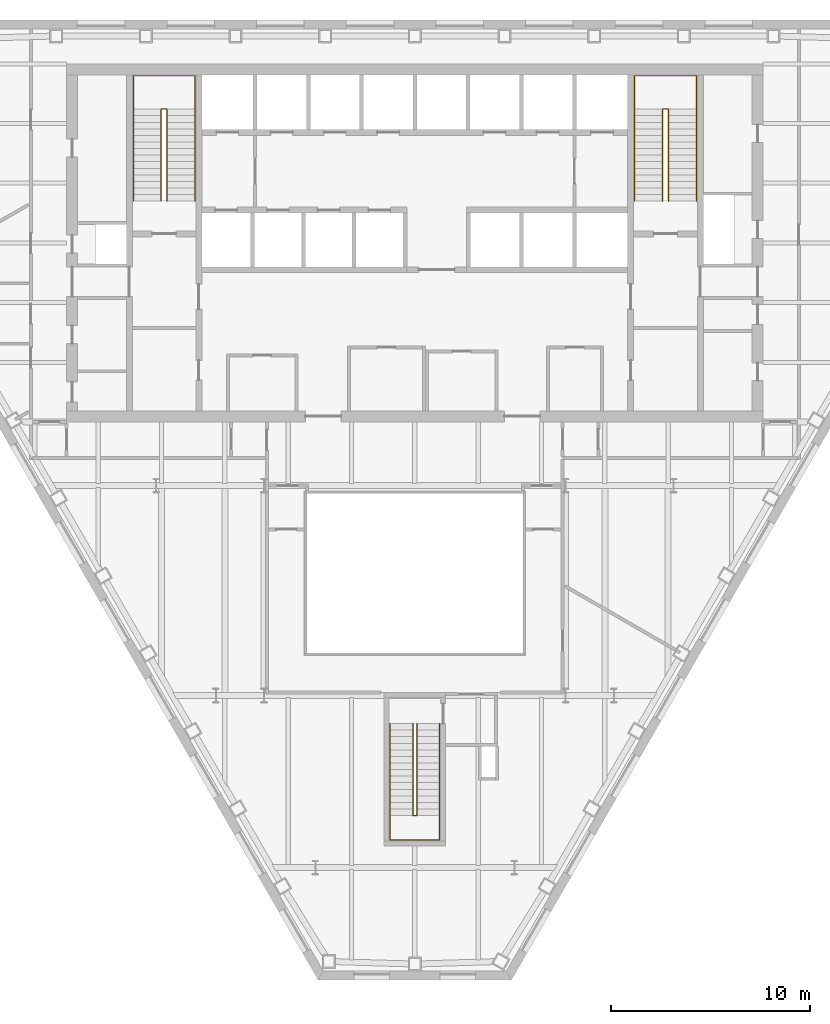
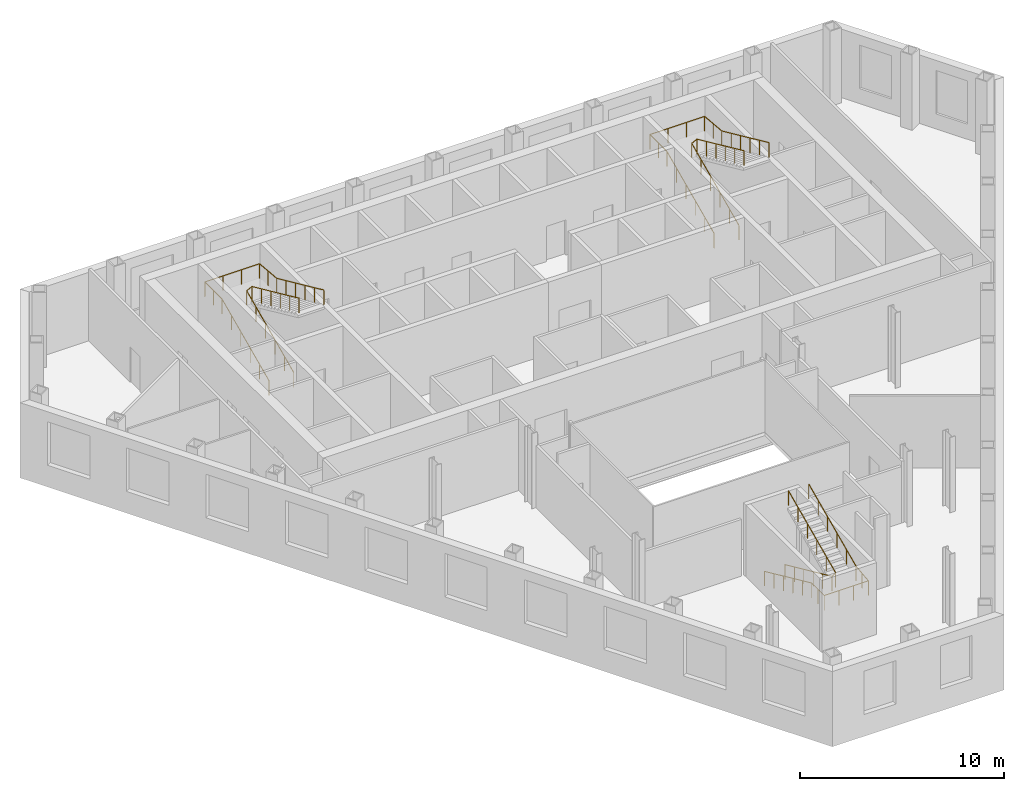
# One storey, part 11 of 11: 6 railings.
"""IFC4 building model written with IfcOpenShell, lengths in metres."""

from ifc_helpers import new_model, si_unit, direction, frame, origin, origin_2d, place, context, subcontext, project, spatial, circle, extrude, material, type_object, element, save


model = new_model("IFC4")

# Units and contexts
model_context = context("Model", 3, precision=1e-05, world=origin(), true_north=direction((0.0, 1.0)))
body_context = subcontext(model_context, "Body", "Model", "MODEL_VIEW")
ifc_project = project(units=[si_unit("LENGTHUNIT", "METRE"), si_unit("AREAUNIT", "SQUARE_METRE"), si_unit("VOLUMEUNIT", "CUBIC_METRE"), si_unit("PLANEANGLEUNIT", "RADIAN"), si_unit("MASSUNIT", "GRAM", prefix="KILO")], contexts=[model_context])

# Site, building, storey
site_placement = place(None, origin())
site = spatial("IfcSite", under=ifc_project, at=site_placement, CompositionType="ELEMENT")
building_placement = place(site_placement, origin())
building = spatial("IfcBuilding", under=site, at=building_placement, Name="Njiva Tower", CompositionType="ELEMENT")
storey_placement = place(building_placement, frame((0.0, 0.0, 115.8)))
storey = spatial("IfcBuildingStorey", under=building, at=storey_placement, Name="L24", CompositionType="ELEMENT", Elevation=115.8)

# Railings
ifc_material = material(Name="Stainless steel", Category="steel")
railing_type = type_object("IfcRailingType", Name="RL1 Stair handrail 900", PredefinedType="HANDRAIL", material=ifc_material)
railing_1_placement = place(storey_placement, frame((-14.15, 11.1, 0.15)))
element("IfcRailing", 1, at=railing_1_placement, inside=storey, type_object=railing_type, Name="Stair A handrail", PredefinedType="HANDRAIL", context=body_context, shape_type="SweptSolid", body=[
    extrude(circle(Radius=0.024, at=origin_2d()), frame((0.0, 0.0, 0.876), z_axis=(0.0, 0.910366477463, 0.413802944301), x_axis=(-1.0, 0.0, 0.0)), (0.0, 0.0, 1.0), 5.0749),
    extrude(circle(Radius=0.024, at=origin_2d()), frame((0.0, 4.62, 2.976), z_axis=(0.0, 1.0, 0.0), x_axis=(-1.0, 0.0, 0.0)), (0.0, 0.0, 1.0), 1.68),
    extrude(circle(Radius=0.024, at=origin_2d()), frame((0.0, 6.3, 2.976), z_axis=(1.0, 0.0, 0.0), x_axis=(0.0, 1.0, 0.0)), (0.0, 0.0, 1.0), 3.1),
    extrude(circle(Radius=0.024, at=origin_2d()), frame((3.1, 6.3, 2.976), z_axis=(0.0, -0.996037705314, 0.088931937975), x_axis=(1.0, 0.0, 0.0)), (0.0, 0.0, 1.0), 1.6867),
    extrude(circle(Radius=0.024, at=origin_2d()), frame((3.1, 4.62, 3.126), z_axis=(0.0, -0.910366477463, 0.413802944301), x_axis=(1.0, 0.0, 0.0)), (0.0, 0.0, 1.0), 5.0749),
    extrude(circle(Radius=0.021, at=origin_2d()), origin(), (0.0, 0.0, 1.0), 0.852),
    extrude(circle(Radius=0.021, at=origin_2d()), frame((0.0, 0.924, 0.42)), (0.0, 0.0, 1.0), 0.852),
    extrude(circle(Radius=0.021, at=origin_2d()), frame((0.0, 1.848, 0.84)), (0.0, 0.0, 1.0), 0.852),
    extrude(circle(Radius=0.021, at=origin_2d()), frame((0.0, 2.772, 1.26)), (0.0, 0.0, 1.0), 0.852),
    extrude(circle(Radius=0.021, at=origin_2d()), frame((0.0, 3.696, 1.68)), (0.0, 0.0, 1.0), 0.852),
    extrude(circle(Radius=0.021, at=origin_2d()), frame((0.0, 4.62, 2.1)), (0.0, 0.0, 1.0), 0.852),
    extrude(circle(Radius=0.021, at=origin_2d()), frame((0.0, 5.46, 2.1)), (0.0, 0.0, 1.0), 0.852),
    extrude(circle(Radius=0.021, at=origin_2d()), frame((0.0, 6.3, 2.1)), (0.0, 0.0, 1.0), 0.852),
    extrude(circle(Radius=0.021, at=origin_2d()), frame((1.0333, 6.3, 2.1)), (0.0, 0.0, 1.0), 0.852),
    extrude(circle(Radius=0.021, at=origin_2d()), frame((2.0667, 6.3, 2.1)), (0.0, 0.0, 1.0), 0.852),
    extrude(circle(Radius=0.021, at=origin_2d()), frame((3.1, 6.3, 2.1)), (0.0, 0.0, 1.0), 0.852),
    extrude(circle(Radius=0.021, at=origin_2d()), frame((3.1, 5.46, 2.175)), (0.0, 0.0, 1.0), 0.852),
    extrude(circle(Radius=0.021, at=origin_2d()), frame((3.1, 4.62, 2.25)), (0.0, 0.0, 1.0), 0.852),
    extrude(circle(Radius=0.021, at=origin_2d()), frame((3.1, 3.696, 2.67)), (0.0, 0.0, 1.0), 0.852),
    extrude(circle(Radius=0.021, at=origin_2d()), frame((3.1, 2.772, 3.09)), (0.0, 0.0, 1.0), 0.852),
    extrude(circle(Radius=0.021, at=origin_2d()), frame((3.1, 1.848, 3.51)), (0.0, 0.0, 1.0), 0.852),
    extrude(circle(Radius=0.021, at=origin_2d()), frame((3.1, 0.924, 3.93)), (0.0, 0.0, 1.0), 0.852),
    extrude(circle(Radius=0.021, at=origin_2d()), frame((3.1, 0.0, 4.35)), (0.0, 0.0, 1.0), 0.852),
])
railing_2_placement = place(storey_placement, frame((-12.75, 11.1, 0.15)))
element("IfcRailing", 2, at=railing_2_placement, inside=storey, type_object=railing_type, Name="Stair A handrail", PredefinedType="HANDRAIL", context=body_context, shape_type="SweptSolid", body=[
    extrude(circle(Radius=0.024, at=origin_2d()), frame((0.0, 0.0, 0.876), z_axis=(0.0, 0.910366477463, 0.413802944301), x_axis=(-1.0, 0.0, 0.0)), (0.0, 0.0, 1.0), 5.0749),
    extrude(circle(Radius=0.024, at=origin_2d()), frame((0.0, 4.62, 2.976), z_axis=(0.894427191, 0.0, 0.4472135955), x_axis=(0.0, 1.0, 0.0)), (0.0, 0.0, 1.0), 0.3354),
    extrude(circle(Radius=0.024, at=origin_2d()), frame((0.3, 4.62, 3.126), z_axis=(0.0, -0.910366477463, 0.413802944301), x_axis=(1.0, 0.0, 0.0)), (0.0, 0.0, 1.0), 5.0749),
    extrude(circle(Radius=0.021, at=origin_2d()), origin(), (0.0, 0.0, 1.0), 0.852),
    extrude(circle(Radius=0.021, at=origin_2d()), frame((0.0, 0.924, 0.42)), (0.0, 0.0, 1.0), 0.852),
    extrude(circle(Radius=0.021, at=origin_2d()), frame((0.0, 1.848, 0.84)), (0.0, 0.0, 1.0), 0.852),
    extrude(circle(Radius=0.021, at=origin_2d()), frame((0.0, 2.772, 1.26)), (0.0, 0.0, 1.0), 0.852),
    extrude(circle(Radius=0.021, at=origin_2d()), frame((0.0, 3.696, 1.68)), (0.0, 0.0, 1.0), 0.852),
    extrude(circle(Radius=0.021, at=origin_2d()), frame((0.0, 4.62, 2.1)), (0.0, 0.0, 1.0), 0.852),
    extrude(circle(Radius=0.021, at=origin_2d()), frame((0.3, 4.62, 2.25)), (0.0, 0.0, 1.0), 0.852),
    extrude(circle(Radius=0.021, at=origin_2d()), frame((0.3, 3.696, 2.67)), (0.0, 0.0, 1.0), 0.852),
    extrude(circle(Radius=0.021, at=origin_2d()), frame((0.3, 2.772, 3.09)), (0.0, 0.0, 1.0), 0.852),
    extrude(circle(Radius=0.021, at=origin_2d()), frame((0.3, 1.848, 3.51)), (0.0, 0.0, 1.0), 0.852),
    extrude(circle(Radius=0.021, at=origin_2d()), frame((0.3, 0.924, 3.93)), (0.0, 0.0, 1.0), 0.852),
    extrude(circle(Radius=0.021, at=origin_2d()), frame((0.3, 0.0, 4.35)), (0.0, 0.0, 1.0), 0.852),
])
railing_3_placement = place(storey_placement, frame((11.05, 11.1, 0.15)))
element("IfcRailing", 3, at=railing_3_placement, inside=storey, type_object=railing_type, Name="Stair B handrail", PredefinedType="HANDRAIL", context=body_context, shape_type="SweptSolid", body=[
    extrude(circle(Radius=0.024, at=origin_2d()), frame((0.0, 0.0, 0.876), z_axis=(0.0, 0.910366477463, 0.413802944301), x_axis=(-1.0, 0.0, 0.0)), (0.0, 0.0, 1.0), 5.0749),
    extrude(circle(Radius=0.024, at=origin_2d()), frame((0.0, 4.62, 2.976), z_axis=(0.0, 1.0, 0.0), x_axis=(-1.0, 0.0, 0.0)), (0.0, 0.0, 1.0), 1.68),
    extrude(circle(Radius=0.024, at=origin_2d()), frame((0.0, 6.3, 2.976), z_axis=(1.0, 0.0, 0.0), x_axis=(0.0, 1.0, 0.0)), (0.0, 0.0, 1.0), 3.1),
    extrude(circle(Radius=0.024, at=origin_2d()), frame((3.1, 6.3, 2.976), z_axis=(0.0, -0.996037705314, 0.088931937975), x_axis=(1.0, 0.0, 0.0)), (0.0, 0.0, 1.0), 1.6867),
    extrude(circle(Radius=0.024, at=origin_2d()), frame((3.1, 4.62, 3.126), z_axis=(0.0, -0.910366477463, 0.413802944301), x_axis=(1.0, 0.0, 0.0)), (0.0, 0.0, 1.0), 5.0749),
    extrude(circle(Radius=0.021, at=origin_2d()), origin(), (0.0, 0.0, 1.0), 0.852),
    extrude(circle(Radius=0.021, at=origin_2d()), frame((0.0, 0.924, 0.42)), (0.0, 0.0, 1.0), 0.852),
    extrude(circle(Radius=0.021, at=origin_2d()), frame((0.0, 1.848, 0.84)), (0.0, 0.0, 1.0), 0.852),
    extrude(circle(Radius=0.021, at=origin_2d()), frame((0.0, 2.772, 1.26)), (0.0, 0.0, 1.0), 0.852),
    extrude(circle(Radius=0.021, at=origin_2d()), frame((0.0, 3.696, 1.68)), (0.0, 0.0, 1.0), 0.852),
    extrude(circle(Radius=0.021, at=origin_2d()), frame((0.0, 4.62, 2.1)), (0.0, 0.0, 1.0), 0.852),
    extrude(circle(Radius=0.021, at=origin_2d()), frame((0.0, 5.46, 2.1)), (0.0, 0.0, 1.0), 0.852),
    extrude(circle(Radius=0.021, at=origin_2d()), frame((0.0, 6.3, 2.1)), (0.0, 0.0, 1.0), 0.852),
    extrude(circle(Radius=0.021, at=origin_2d()), frame((1.0333, 6.3, 2.1)), (0.0, 0.0, 1.0), 0.852),
    extrude(circle(Radius=0.021, at=origin_2d()), frame((2.0667, 6.3, 2.1)), (0.0, 0.0, 1.0), 0.852),
    extrude(circle(Radius=0.021, at=origin_2d()), frame((3.1, 6.3, 2.1)), (0.0, 0.0, 1.0), 0.852),
    extrude(circle(Radius=0.021, at=origin_2d()), frame((3.1, 5.46, 2.175)), (0.0, 0.0, 1.0), 0.852),
    extrude(circle(Radius=0.021, at=origin_2d()), frame((3.1, 4.62, 2.25)), (0.0, 0.0, 1.0), 0.852),
    extrude(circle(Radius=0.021, at=origin_2d()), frame((3.1, 3.696, 2.67)), (0.0, 0.0, 1.0), 0.852),
    extrude(circle(Radius=0.021, at=origin_2d()), frame((3.1, 2.772, 3.09)), (0.0, 0.0, 1.0), 0.852),
    extrude(circle(Radius=0.021, at=origin_2d()), frame((3.1, 1.848, 3.51)), (0.0, 0.0, 1.0), 0.852),
    extrude(circle(Radius=0.021, at=origin_2d()), frame((3.1, 0.924, 3.93)), (0.0, 0.0, 1.0), 0.852),
    extrude(circle(Radius=0.021, at=origin_2d()), frame((3.1, 0.0, 4.35)), (0.0, 0.0, 1.0), 0.852),
])
railing_4_placement = place(storey_placement, frame((12.45, 11.1, 0.15)))
element("IfcRailing", 4, at=railing_4_placement, inside=storey, type_object=railing_type, Name="Stair B handrail", PredefinedType="HANDRAIL", context=body_context, shape_type="SweptSolid", body=[
    extrude(circle(Radius=0.024, at=origin_2d()), frame((0.0, 0.0, 0.876), z_axis=(0.0, 0.910366477463, 0.413802944301), x_axis=(-1.0, 0.0, 0.0)), (0.0, 0.0, 1.0), 5.0749),
    extrude(circle(Radius=0.024, at=origin_2d()), frame((0.0, 4.62, 2.976), z_axis=(0.894427191, 0.0, 0.4472135955), x_axis=(0.0, 1.0, 0.0)), (0.0, 0.0, 1.0), 0.3354),
    extrude(circle(Radius=0.024, at=origin_2d()), frame((0.3, 4.62, 3.126), z_axis=(0.0, -0.910366477463, 0.413802944301), x_axis=(1.0, 0.0, 0.0)), (0.0, 0.0, 1.0), 5.0749),
    extrude(circle(Radius=0.021, at=origin_2d()), origin(), (0.0, 0.0, 1.0), 0.852),
    extrude(circle(Radius=0.021, at=origin_2d()), frame((0.0, 0.924, 0.42)), (0.0, 0.0, 1.0), 0.852),
    extrude(circle(Radius=0.021, at=origin_2d()), frame((0.0, 1.848, 0.84)), (0.0, 0.0, 1.0), 0.852),
    extrude(circle(Radius=0.021, at=origin_2d()), frame((0.0, 2.772, 1.26)), (0.0, 0.0, 1.0), 0.852),
    extrude(circle(Radius=0.021, at=origin_2d()), frame((0.0, 3.696, 1.68)), (0.0, 0.0, 1.0), 0.852),
    extrude(circle(Radius=0.021, at=origin_2d()), frame((0.0, 4.62, 2.1)), (0.0, 0.0, 1.0), 0.852),
    extrude(circle(Radius=0.021, at=origin_2d()), frame((0.3, 4.62, 2.25)), (0.0, 0.0, 1.0), 0.852),
    extrude(circle(Radius=0.021, at=origin_2d()), frame((0.3, 3.696, 2.67)), (0.0, 0.0, 1.0), 0.852),
    extrude(circle(Radius=0.021, at=origin_2d()), frame((0.3, 2.772, 3.09)), (0.0, 0.0, 1.0), 0.852),
    extrude(circle(Radius=0.021, at=origin_2d()), frame((0.3, 1.848, 3.51)), (0.0, 0.0, 1.0), 0.852),
    extrude(circle(Radius=0.021, at=origin_2d()), frame((0.3, 0.924, 3.93)), (0.0, 0.0, 1.0), 0.852),
    extrude(circle(Radius=0.021, at=origin_2d()), frame((0.3, 0.0, 4.35)), (0.0, 0.0, 1.0), 0.852),
])
railing_5_placement = place(storey_placement, frame((-1.25, -15.16, 0.15)))
element("IfcRailing", 5, at=railing_5_placement, inside=storey, type_object=railing_type, Name="Stair C handrail", PredefinedType="HANDRAIL", context=body_context, shape_type="SweptSolid", body=[
    extrude(circle(Radius=0.024, at=origin_2d()), frame((0.0, 0.0, 0.876), z_axis=(0.0, -0.910366477463, 0.413802944301), x_axis=(1.0, 0.0, 0.0)), (0.0, 0.0, 1.0), 5.0749),
    extrude(circle(Radius=0.024, at=origin_2d()), frame((0.0, -4.62, 2.976), z_axis=(0.0, -1.0, 0.0), x_axis=(1.0, 0.0, 0.0)), (0.0, 0.0, 1.0), 1.22),
    extrude(circle(Radius=0.024, at=origin_2d()), frame((0.0, -5.84, 2.976), z_axis=(1.0, 0.0, 0.0), x_axis=(0.0, 1.0, 0.0)), (0.0, 0.0, 1.0), 2.5),
    extrude(circle(Radius=0.024, at=origin_2d()), frame((2.5, -5.84, 2.976), z_axis=(0.0, 0.992526177815, 0.122031907108), x_axis=(-1.0, 0.0, 0.0)), (0.0, 0.0, 1.0), 1.2292),
    extrude(circle(Radius=0.024, at=origin_2d()), frame((2.5, -4.62, 3.126), z_axis=(0.0, 0.910366477463, 0.413802944301), x_axis=(-1.0, 0.0, 0.0)), (0.0, 0.0, 1.0), 5.0749),
    extrude(circle(Radius=0.021, at=origin_2d()), origin(), (0.0, 0.0, 1.0), 0.852),
    extrude(circle(Radius=0.021, at=origin_2d()), frame((0.0, -0.924, 0.42)), (0.0, 0.0, 1.0), 0.852),
    extrude(circle(Radius=0.021, at=origin_2d()), frame((0.0, -1.848, 0.84)), (0.0, 0.0, 1.0), 0.852),
    extrude(circle(Radius=0.021, at=origin_2d()), frame((0.0, -2.772, 1.26)), (0.0, 0.0, 1.0), 0.852),
    extrude(circle(Radius=0.021, at=origin_2d()), frame((0.0, -3.696, 1.68)), (0.0, 0.0, 1.0), 0.852),
    extrude(circle(Radius=0.021, at=origin_2d()), frame((0.0, -4.62, 2.1)), (0.0, 0.0, 1.0), 0.852),
    extrude(circle(Radius=0.021, at=origin_2d()), frame((0.0, -5.23, 2.1)), (0.0, 0.0, 1.0), 0.852),
    extrude(circle(Radius=0.021, at=origin_2d()), frame((0.0, -5.84, 2.1)), (0.0, 0.0, 1.0), 0.852),
    extrude(circle(Radius=0.021, at=origin_2d()), frame((0.8333, -5.84, 2.1)), (0.0, 0.0, 1.0), 0.852),
    extrude(circle(Radius=0.021, at=origin_2d()), frame((1.6667, -5.84, 2.1)), (0.0, 0.0, 1.0), 0.852),
    extrude(circle(Radius=0.021, at=origin_2d()), frame((2.5, -5.84, 2.1)), (0.0, 0.0, 1.0), 0.852),
    extrude(circle(Radius=0.021, at=origin_2d()), frame((2.5, -5.23, 2.175)), (0.0, 0.0, 1.0), 0.852),
    extrude(circle(Radius=0.021, at=origin_2d()), frame((2.5, -4.62, 2.25)), (0.0, 0.0, 1.0), 0.852),
    extrude(circle(Radius=0.021, at=origin_2d()), frame((2.5, -3.696, 2.67)), (0.0, 0.0, 1.0), 0.852),
    extrude(circle(Radius=0.021, at=origin_2d()), frame((2.5, -2.772, 3.09)), (0.0, 0.0, 1.0), 0.852),
    extrude(circle(Radius=0.021, at=origin_2d()), frame((2.5, -1.848, 3.51)), (0.0, 0.0, 1.0), 0.852),
    extrude(circle(Radius=0.021, at=origin_2d()), frame((2.5, -0.924, 3.93)), (0.0, 0.0, 1.0), 0.852),
    extrude(circle(Radius=0.021, at=origin_2d()), frame((2.5, 0.0, 4.35)), (0.0, 0.0, 1.0), 0.852),
])
railing_6_placement = place(storey_placement, frame((-0.1, -15.16, 0.15)))
element("IfcRailing", 6, at=railing_6_placement, inside=storey, type_object=railing_type, Name="Stair C handrail", PredefinedType="HANDRAIL", context=body_context, shape_type="SweptSolid", body=[
    extrude(circle(Radius=0.024, at=origin_2d()), frame((0.0, 0.0, 0.876), z_axis=(0.0, -0.910366477463, 0.413802944301), x_axis=(1.0, 0.0, 0.0)), (0.0, 0.0, 1.0), 5.0749),
    extrude(circle(Radius=0.024, at=origin_2d()), frame((0.0, -4.62, 2.976), z_axis=(0.8, 0.0, 0.6), x_axis=(0.0, 1.0, 0.0)), (0.0, 0.0, 1.0), 0.25),
    extrude(circle(Radius=0.024, at=origin_2d()), frame((0.2, -4.62, 3.126), z_axis=(0.0, 0.910366477463, 0.413802944301), x_axis=(-1.0, 0.0, 0.0)), (0.0, 0.0, 1.0), 5.0749),
    extrude(circle(Radius=0.021, at=origin_2d()), origin(), (0.0, 0.0, 1.0), 0.852),
    extrude(circle(Radius=0.021, at=origin_2d()), frame((0.0, -0.924, 0.42)), (0.0, 0.0, 1.0), 0.852),
    extrude(circle(Radius=0.021, at=origin_2d()), frame((0.0, -1.848, 0.84)), (0.0, 0.0, 1.0), 0.852),
    extrude(circle(Radius=0.021, at=origin_2d()), frame((0.0, -2.772, 1.26)), (0.0, 0.0, 1.0), 0.852),
    extrude(circle(Radius=0.021, at=origin_2d()), frame((0.0, -3.696, 1.68)), (0.0, 0.0, 1.0), 0.852),
    extrude(circle(Radius=0.021, at=origin_2d()), frame((0.0, -4.62, 2.1)), (0.0, 0.0, 1.0), 0.852),
    extrude(circle(Radius=0.021, at=origin_2d()), frame((0.2, -4.62, 2.25)), (0.0, 0.0, 1.0), 0.852),
    extrude(circle(Radius=0.021, at=origin_2d()), frame((0.2, -3.696, 2.67)), (0.0, 0.0, 1.0), 0.852),
    extrude(circle(Radius=0.021, at=origin_2d()), frame((0.2, -2.772, 3.09)), (0.0, 0.0, 1.0), 0.852),
    extrude(circle(Radius=0.021, at=origin_2d()), frame((0.2, -1.848, 3.51)), (0.0, 0.0, 1.0), 0.852),
    extrude(circle(Radius=0.021, at=origin_2d()), frame((0.2, -0.924, 3.93)), (0.0, 0.0, 1.0), 0.852),
    extrude(circle(Radius=0.021, at=origin_2d()), frame((0.2, 0.0, 4.35)), (0.0, 0.0, 1.0), 0.852),
])

save(model, "model.ifc")
